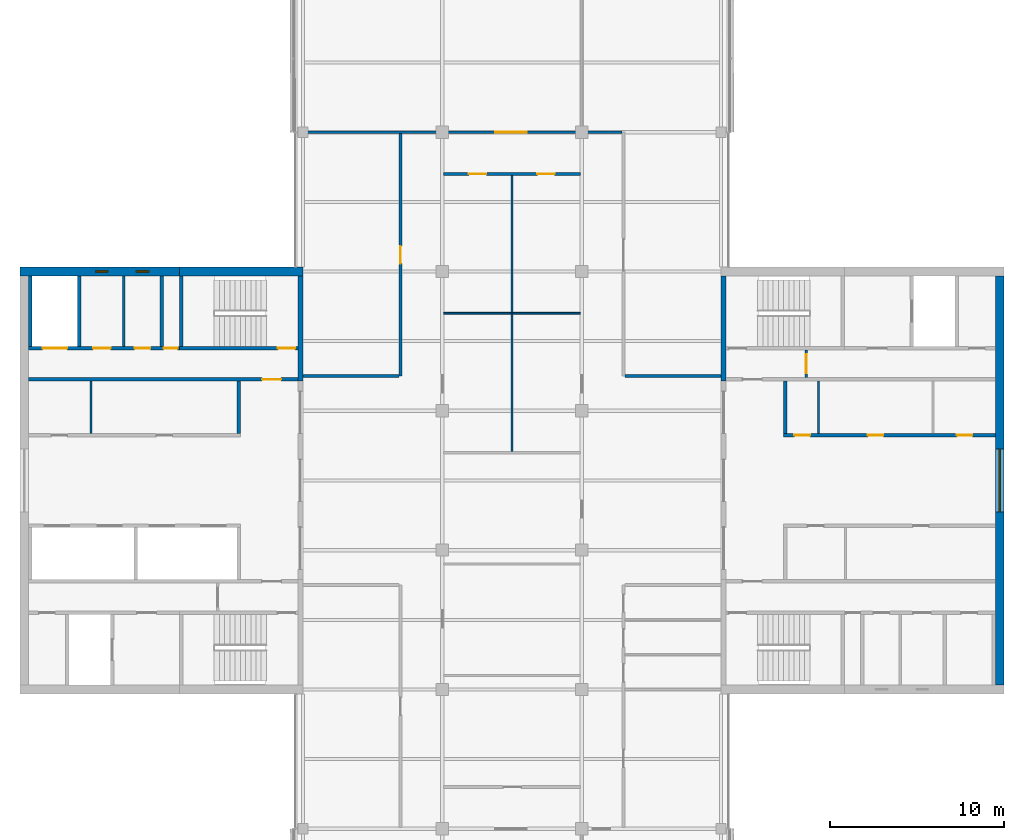
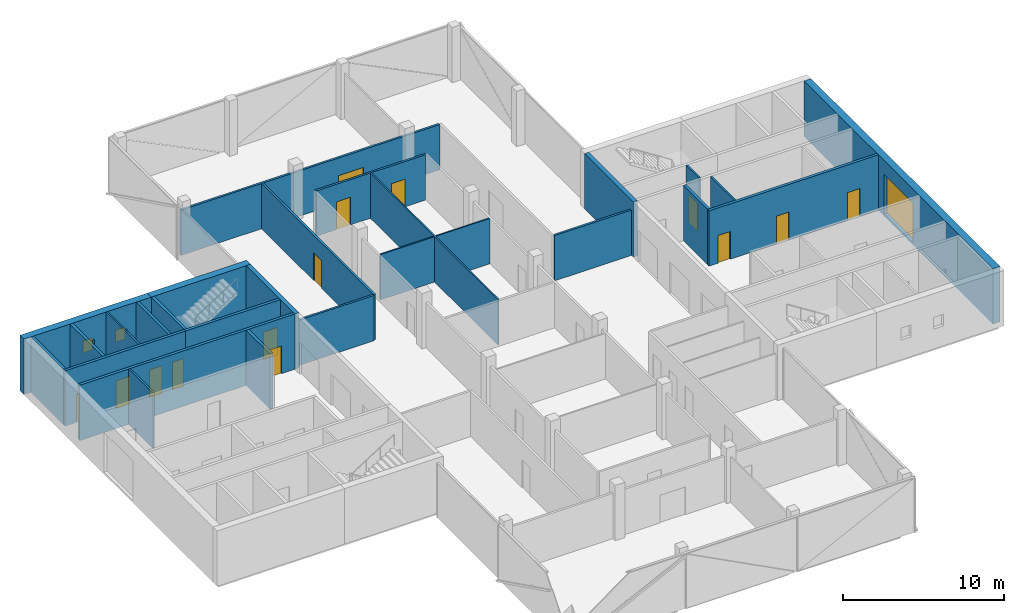
# One storey, part 11 of 15: 27 walls, 14 doors, 3 windows, 17 openings.
"""IFC4 building model written with IfcOpenShell, lengths in metres."""

from ifc_helpers import new_model, si_unit, direction, frame, frame_2d, origin, place, context, subcontext, project, spatial, rectangle, extrude, material, layer, layer_set, constituent, constituent_set, type_object, element, fill, save


model = new_model("IFC4")

# Units and contexts
model_context = context("Model", 3, precision=1e-05, world=origin(), true_north=direction((0.0, 1.0)))
body_context = subcontext(model_context, "Body", "Model", "MODEL_VIEW")
ifc_project = project(units=[si_unit("LENGTHUNIT", "METRE"), si_unit("AREAUNIT", "SQUARE_METRE"), si_unit("VOLUMEUNIT", "CUBIC_METRE"), si_unit("PLANEANGLEUNIT", "RADIAN"), si_unit("MASSUNIT", "GRAM", prefix="KILO")], contexts=[model_context])

# Site, building, storey
site_placement = place(None, origin())
site = spatial("IfcSite", under=ifc_project, at=site_placement, CompositionType="ELEMENT")
building_placement = place(site_placement, origin())
building = spatial("IfcBuilding", under=site, at=building_placement, Name="Crosswind Convention Tower", CompositionType="ELEMENT")
storey_placement = place(building_placement, frame((0.0, 0.0, 266.10009765625)))
storey = spatial("IfcBuildingStorey", under=building, at=storey_placement, Name="L57", CompositionType="ELEMENT", Elevation=266.10009765625)

# Walls
ifc_material_1 = material(Name="Concrete blockwork", Category="masonry")
ifc_layer_1 = layer(ifc_material_1, 0.199951171875)
ifc_layer_set_1 = layer_set([ifc_layer_1], Name="Blockwork partition wall 200")
wall_type_1 = type_object("IfcWallType", Name="Blockwork partition wall 200", PredefinedType="PARTITIONING", material=ifc_layer_set_1)
wall_1_placement = place(storey_placement, frame((104.89990234375, 111.75, 0.0), z_axis=(0.0, 0.0, 1.0), x_axis=(0.0, -1.0, 0.0)))
element("IfcWall", 1, at=wall_1_placement, inside=storey, type_object=wall_type_1, Name="Wall MRSE W L57", PredefinedType="PARTITIONING", context=body_context, shape_type="SweptSolid", body=[
    extrude(rectangle(XDim=4.050048828125, YDim=0.199951171875, at=frame_2d((2.02490234375, 0.0))), origin(), (0.0, 0.0, 1.0), 4.199951171875),
])
ifc_material_2 = material(Name="Concrete C50/60", Category="concrete")
ifc_layer_2 = layer(ifc_material_2, 0.300048828125)
ifc_layer_set_2 = layer_set([ifc_layer_2], Name="Concrete C50/60")
wall_type_2 = type_object("IfcWallType", Name="Concrete inner core wall 300", PredefinedType="SHEAR", material=ifc_layer_set_2)
for number, where, z_axis, x_axis, name in (
    (2, (137.14990234375, 105.699951171875, 0.0), (0.0, 0.0, 1.0), (0.0, 1.0, 0.0), "Wall EP E L57"),
    (3, (112.85009765625, 111.75, 0.0), (0.0, 0.0, 1.0), (0.0, -1.0, 0.0), "Wall EM W L57"),
):
    element("IfcWall", number, at=place(storey_placement, frame(where, z_axis=z_axis, x_axis=x_axis)), inside=storey, type_object=wall_type_2, Name=name, PredefinedType="SHEAR", context=body_context, shape_type="SweptSolid", body=[
        extrude(rectangle(XDim=6.050048828125, YDim=0.300048828125, at=frame_2d((3.02490234375, 0.0))), origin(), (0.0, 0.0, 1.0), 4.199951171875),
    ])
ifc_layer_3 = layer(ifc_material_2, 0.199951171875)
ifc_layer_set_3 = layer_set([ifc_layer_3], Name="Concrete C50/60")
wall_type_3 = type_object("IfcWallType", Name="Concrete shaft and stair wall 200", PredefinedType="SHEAR", material=ifc_layer_set_3)
wall_2_placement = place(storey_placement, frame((140.699951171875, 102.699951171875, 0.0), z_axis=(0.0, 0.0, 1.0), x_axis=(0.0, 1.0, 0.0)))
element("IfcWall", 4, at=wall_2_placement, inside=storey, type_object=wall_type_3, Name="Wall RPEND E L57", PredefinedType="SHEAR", context=body_context, shape_type="SweptSolid", body=[
    extrude(rectangle(XDim=3.0, YDim=0.199951171875, at=frame_2d((1.5, 0.0))), origin(), (0.0, 0.0, 1.0), 4.199951171875),
])

# Wall, openings, doors
wall_3_placement = place(storey_placement, frame((140.60009765625, 102.60009765625, 0.0), z_axis=(0.0, 0.0, 1.0), x_axis=(1.0, 0.0, 0.0)))
wall_3 = element("IfcWall", 5, at=wall_3_placement, inside=storey, type_object=wall_type_3, Name="Wall RPFRONT E L57", PredefinedType="SHEAR", context=body_context, shape_type="SweptSolid", body=[
    extrude(rectangle(XDim=12.14990234375, YDim=0.199951171875, at=frame_2d((6.074951171875, 0.0))), origin(), (0.0, 0.0, 1.0), 4.199951171875),
])
opening_1_placement = place(wall_3_placement, frame((0.614990234375, 0.0, 0.0)))
opening_1 = element("IfcOpeningElement", 6, at=opening_1_placement, cuts=wall_3, Name="Opening D106", PredefinedType="OPENING", context=body_context, shape_type="SweptSolid", body=[
    extrude(rectangle(XDim=0.89990234375, YDim=2.10009765625, at=frame_2d((0.449951171875, 1.050048828125))), frame((0.0, 0.10986328125, 0.0), z_axis=(0.0, -1.0, 0.0), x_axis=(1.0, 0.0, 0.0)), (0.0, 0.0, 1.0), 0.219970703125),
])
opening_2_placement = place(wall_3_placement, frame((4.828857421875, 0.0, 0.0)))
opening_2 = element("IfcOpeningElement", 7, at=opening_2_placement, cuts=wall_3, Name="Opening D106", PredefinedType="OPENING", context=body_context, shape_type="SweptSolid", body=[
    extrude(rectangle(XDim=0.89990234375, YDim=2.10009765625, at=frame_2d((0.449951171875, 1.050048828125))), frame((0.0, 0.10986328125, 0.0), z_axis=(0.0, -1.0, 0.0), x_axis=(1.0, 0.0, 0.0)), (0.0, 0.0, 1.0), 0.219970703125),
])
opening_3_placement = place(wall_3_placement, frame((9.938720703125, 0.0, 0.0)))
opening_3 = element("IfcOpeningElement", 8, at=opening_3_placement, cuts=wall_3, Name="Opening D106", PredefinedType="OPENING", context=body_context, shape_type="SweptSolid", body=[
    extrude(rectangle(XDim=0.89990234375, YDim=2.10009765625, at=frame_2d((0.449951171875, 1.050048828125))), frame((0.0, 0.10986328125, 0.0), z_axis=(0.0, -1.0, 0.0), x_axis=(1.0, 0.0, 0.0)), (0.0, 0.0, 1.0), 0.219970703125),
])
ifc_material_3 = material(Name="Timber door", Category="wood")
door_type_1 = type_object("IfcDoorType", Name="Single leaf door 900x2100", OperationType="NOTDEFINED", PredefinedType="DOOR", material=ifc_material_3)
door_1_placement = place(opening_1_placement, origin())
door_1 = element("IfcDoor", 9, at=door_1_placement, inside=storey, type_object=door_type_1, Name="Door to tenant services room L57", ObjectType="D106", OperationType="SINGLE_SWING_RIGHT", OverallHeight=2.10009765625, OverallWidth=0.89990234375, PredefinedType="DOOR", context=body_context, shape_type="SweptSolid", body=[
    extrude(rectangle(XDim=0.89990234375, YDim=2.10009765625, at=frame_2d((0.449951171875, 1.050048828125))), frame((0.0, 0.02490234375, 0.0), z_axis=(0.0, -1.0, 0.0), x_axis=(1.0, 0.0, 0.0)), (0.0, 0.0, 1.0), 0.050048828125),
])
fill(opening_1, door_1)
door_2_placement = place(opening_2_placement, origin())
door_2 = element("IfcDoor", 10, at=door_2_placement, inside=storey, type_object=door_type_1, Name="Door to copy and print room L57", ObjectType="D106", OperationType="SINGLE_SWING_RIGHT", OverallHeight=2.10009765625, OverallWidth=0.89990234375, PredefinedType="DOOR", context=body_context, shape_type="SweptSolid", body=[
    extrude(rectangle(XDim=0.89990234375, YDim=2.10009765625, at=frame_2d((0.449951171875, 1.050048828125))), frame((0.0, 0.02490234375, 0.0), z_axis=(0.0, -1.0, 0.0), x_axis=(1.0, 0.0, 0.0)), (0.0, 0.0, 1.0), 0.050048828125),
])
fill(opening_2, door_2)
door_3_placement = place(opening_3_placement, origin())
door_3 = element("IfcDoor", 11, at=door_3_placement, inside=storey, type_object=door_type_1, Name="Door to meeting room L57", ObjectType="D106", OperationType="SINGLE_SWING_RIGHT", OverallHeight=2.10009765625, OverallWidth=0.89990234375, PredefinedType="DOOR", context=body_context, shape_type="SweptSolid", body=[
    extrude(rectangle(XDim=0.89990234375, YDim=2.10009765625, at=frame_2d((0.449951171875, 1.050048828125))), frame((0.0, 0.02490234375, 0.0), z_axis=(0.0, -1.0, 0.0), x_axis=(1.0, 0.0, 0.0)), (0.0, 0.0, 1.0), 0.050048828125),
])
fill(opening_3, door_3)

# Wall
wall_4_placement = place(storey_placement, frame((109.300048828125, 105.699951171875, 0.0), z_axis=(0.0, 0.0, 1.0), x_axis=(0.0, -1.0, 0.0)))
element("IfcWall", 12, at=wall_4_placement, inside=storey, type_object=wall_type_3, Name="Wall RMEND W L57", PredefinedType="SHEAR", context=body_context, shape_type="SweptSolid", body=[
    extrude(rectangle(XDim=3.0, YDim=0.199951171875, at=frame_2d((1.5, 0.0))), origin(), (0.0, 0.0, 1.0), 4.199951171875),
])

# Wall, opening, door
wall_5_placement = place(storey_placement, frame((112.699951171875, 105.800048828125, 0.0), z_axis=(0.0, 0.0, 1.0), x_axis=(-1.0, 0.0, 0.0)))
wall_5 = element("IfcWall", 13, at=wall_5_placement, inside=storey, type_object=wall_type_3, Name="Wall HM W L57", PredefinedType="SHEAR", context=body_context, shape_type="SweptSolid", body=[
    extrude(rectangle(XDim=15.449951171875, YDim=0.199951171875, at=frame_2d((7.72509765625, 0.0))), origin(), (0.0, 0.0, 1.0), 4.199951171875),
])
opening_4_placement = place(wall_5_placement, frame((0.949951171875, 0.0, 0.0)))
opening_4 = element("IfcOpeningElement", 14, at=opening_4_placement, cuts=wall_5, Name="Opening D104", PredefinedType="OPENING", context=body_context, shape_type="SweptSolid", body=[
    extrude(rectangle(XDim=1.10009765625, YDim=2.10009765625, at=frame_2d((0.550048828125, 1.050048828125))), frame((0.0, 0.10986328125, 0.0), z_axis=(0.0, -1.0, 0.0), x_axis=(1.0, 0.0, 0.0)), (0.0, 0.0, 1.0), 0.219970703125),
])
ifc_material_4 = material(Name="Steel fire door", Category="steel")
door_type_2 = type_object("IfcDoorType", Name="Fire-rated single door 1100x2100", OperationType="NOTDEFINED", PredefinedType="DOOR", material=ifc_material_4)
door_4_placement = place(opening_4_placement, origin())
door_4 = element("IfcDoor", 15, at=door_4_placement, inside=storey, type_object=door_type_2, Name="Corridor door L57", ObjectType="D104", OperationType="SINGLE_SWING_LEFT", OverallHeight=2.10009765625, OverallWidth=1.10009765625, PredefinedType="DOOR", context=body_context, shape_type="SweptSolid", body=[
    extrude(rectangle(XDim=1.10009765625, YDim=2.10009765625, at=frame_2d((0.550048828125, 1.050048828125))), frame((0.0, 0.02490234375, 0.0), z_axis=(0.0, -1.0, 0.0), x_axis=(1.0, 0.0, 0.0)), (0.0, 0.0, 1.0), 0.050048828125),
])
fill(opening_4, door_4)

# Walls
for number, where, z_axis, x_axis, name in (
    (16, (106.0, 111.75, 0.0), (0.0, 0.0, 1.0), (0.0, -1.0, 0.0), "Wall MSE W L57"),
    (17, (100.14990234375, 111.75, 0.0), (0.0, 0.0, 1.0), (0.0, -1.0, 0.0), "Wall MFSW W L57"),
    (18, (97.35009765625, 111.75, 0.0), (0.0, 0.0, 1.0), (0.0, -1.0, 0.0), "Wall MFSE W L57"),
):
    element("IfcWall", number, at=place(storey_placement, frame(where, z_axis=z_axis, x_axis=x_axis)), inside=storey, type_object=wall_type_3, Name=name, PredefinedType="SHEAR", context=body_context, shape_type="SweptSolid", body=[
        extrude(rectangle(XDim=4.050048828125, YDim=0.199951171875, at=frame_2d((2.02490234375, 0.0))), origin(), (0.0, 0.0, 1.0), 4.199951171875),
    ])

# Wall, opening, door
wall_6_placement = place(storey_placement, frame((112.699951171875, 107.60009765625, 0.0), z_axis=(0.0, 0.0, 1.0), x_axis=(-1.0, 0.0, 0.0)))
wall_6 = element("IfcWall", 19, at=wall_6_placement, inside=storey, type_object=wall_type_3, Name="Wall MCW W L57", PredefinedType="SHEAR", context=body_context, shape_type="SweptSolid", body=[
    extrude(rectangle(XDim=6.800048828125, YDim=0.199951171875, at=frame_2d((3.39990234375, 0.0))), origin(), (0.0, 0.0, 1.0), 4.199951171875),
])
opening_5_placement = place(wall_6_placement, frame((0.14990234375, 0.0, 0.0)))
opening_5 = element("IfcOpeningElement", 20, at=opening_5_placement, cuts=wall_6, Name="Opening D103", PredefinedType="OPENING", context=body_context, shape_type="SweptSolid", body=[
    extrude(rectangle(XDim=1.0, YDim=2.10009765625, at=frame_2d((0.5, 1.050048828125))), frame((0.0, 0.10986328125, 0.0), z_axis=(0.0, -1.0, 0.0), x_axis=(1.0, 0.0, 0.0)), (0.0, 0.0, 1.0), 0.219970703125),
])
door_type_3 = type_object("IfcDoorType", Name="Fire-rated single door 1000x2100", OperationType="NOTDEFINED", PredefinedType="DOOR", material=ifc_material_4)
door_5_placement = place(opening_5_placement, frame((1.0, 0.0, 0.0), z_axis=(0.0, 0.0, 1.0), x_axis=(-1.0, 0.0, 0.0)))
door_5 = element("IfcDoor", 21, at=door_5_placement, inside=storey, type_object=door_type_3, Name="Stair ST4 door L57", ObjectType="D103", OperationType="SINGLE_SWING_RIGHT", OverallHeight=2.10009765625, OverallWidth=1.0, PredefinedType="DOOR", context=body_context, shape_type="SweptSolid", body=[
    extrude(rectangle(XDim=1.0, YDim=2.10009765625, at=frame_2d((0.5, 1.050048828125))), frame((0.0, 0.02490234375, 0.0), z_axis=(0.0, -1.0, 0.0), x_axis=(1.0, 0.0, 0.0)), (0.0, 0.0, 1.0), 0.050048828125),
])
fill(opening_5, door_5)

# Wall, openings, doors
wall_7_placement = place(storey_placement, frame((105.89990234375, 107.60009765625, 0.0), z_axis=(0.0, 0.0, 1.0), x_axis=(-1.0, 0.0, 0.0)))
wall_7 = element("IfcWall", 22, at=wall_7_placement, inside=storey, type_object=wall_type_3, Name="Wall MCX W L57", PredefinedType="SHEAR", context=body_context, shape_type="SweptSolid", body=[
    extrude(rectangle(XDim=8.64990234375, YDim=0.199951171875, at=frame_2d((4.324951171875, 0.0))), origin(), (0.0, 0.0, 1.0), 4.199951171875),
])
opening_6_placement = place(wall_7_placement, frame((0.10009765625, 0.0, 0.0)))
opening_6 = element("IfcOpeningElement", 23, at=opening_6_placement, cuts=wall_7, Name="Opening D105", PredefinedType="OPENING", context=body_context, shape_type="SweptSolid", body=[
    extrude(rectangle(XDim=0.800048828125, YDim=2.10009765625, at=frame_2d((0.39990234375, 1.050048828125))), frame((0.0, 0.10986328125, 0.0), z_axis=(0.0, -1.0, 0.0), x_axis=(1.0, 0.0, 0.0)), (0.0, 0.0, 1.0), 0.219970703125),
])
opening_7_placement = place(wall_7_placement, frame((1.665283203125, 0.0, 0.0)))
opening_7 = element("IfcOpeningElement", 24, at=opening_7_placement, cuts=wall_7, Name="Opening D106", PredefinedType="OPENING", context=body_context, shape_type="SweptSolid", body=[
    extrude(rectangle(XDim=0.89990234375, YDim=2.10009765625, at=frame_2d((0.449951171875, 1.050048828125))), frame((0.0, 0.10986328125, 0.0), z_axis=(0.0, -1.0, 0.0), x_axis=(1.0, 0.0, 0.0)), (0.0, 0.0, 1.0), 0.219970703125),
])
opening_8_placement = place(wall_7_placement, frame((3.95263671875, 0.0, 0.0)))
opening_8 = element("IfcOpeningElement", 25, at=opening_8_placement, cuts=wall_7, Name="Opening D103", PredefinedType="OPENING", context=body_context, shape_type="SweptSolid", body=[
    extrude(rectangle(XDim=1.0, YDim=2.10009765625, at=frame_2d((0.5, 1.050048828125))), frame((0.0, 0.10986328125, 0.0), z_axis=(0.0, -1.0, 0.0), x_axis=(1.0, 0.0, 0.0)), (0.0, 0.0, 1.0), 0.219970703125),
])
opening_9_placement = place(wall_7_placement, frame((6.449951171875, 0.0, 0.0)))
opening_9 = element("IfcOpeningElement", 26, at=opening_9_placement, cuts=wall_7, Name="Opening LD2", PredefinedType="OPENING", context=body_context, shape_type="SweptSolid", body=[
    extrude(rectangle(XDim=1.39990234375, YDim=2.10009765625, at=frame_2d((0.699951171875, 1.050048828125))), frame((0.0, 0.10986328125, 0.0), z_axis=(0.0, -1.0, 0.0), x_axis=(1.0, 0.0, 0.0)), (0.0, 0.0, 1.0), 0.219970703125),
])
door_6_placement = place(opening_8_placement, frame((1.0, 0.0, 0.0), z_axis=(0.0, 0.0, 1.0), x_axis=(-1.0, 0.0, 0.0)))
door_6 = element("IfcDoor", 27, at=door_6_placement, inside=storey, type_object=door_type_3, Name="Door to accessible wc L57", ObjectType="D103", OperationType="SINGLE_SWING_LEFT", OverallHeight=2.10009765625, OverallWidth=1.0, PredefinedType="DOOR", context=body_context, shape_type="SweptSolid", body=[
    extrude(rectangle(XDim=1.0, YDim=2.10009765625, at=frame_2d((0.5, 1.050048828125))), frame((0.0, 0.02490234375, 0.0), z_axis=(0.0, -1.0, 0.0), x_axis=(1.0, 0.0, 0.0)), (0.0, 0.0, 1.0), 0.050048828125),
])
fill(opening_8, door_6)
ifc_material_5 = material(Name="Stainless steel", Category="steel")
door_type_4 = type_object("IfcDoorType", Name="Lift landing door 1400x2100", OperationType="DOUBLE_DOOR_SLIDING", PredefinedType="DOOR", material=ifc_material_5)
door_7_placement = place(opening_9_placement, origin())
door_7 = element("IfcDoor", 28, at=door_7_placement, inside=storey, type_object=door_type_4, Name="Landing door SV2 L57", ObjectType="LD2", OperationType="DOUBLE_DOOR_SLIDING", OverallHeight=2.10009765625, OverallWidth=1.39990234375, PredefinedType="DOOR", context=body_context, shape_type="SweptSolid", body=[
    extrude(rectangle(XDim=1.39990234375, YDim=2.10009765625, at=frame_2d((0.699951171875, 1.050048828125))), frame((0.0, 0.02490234375, 0.0), z_axis=(0.0, -1.0, 0.0), x_axis=(1.0, 0.0, 0.0)), (0.0, 0.0, 1.0), 0.050048828125),
])
fill(opening_9, door_7)
door_type_5 = type_object("IfcDoorType", Name="Riser access door 800x2100", OperationType="NOTDEFINED", PredefinedType="DOOR", material=ifc_material_4)
door_8_placement = place(opening_6_placement, frame((0.800048828125, 0.0, 0.0), z_axis=(0.0, 0.0, 1.0), x_axis=(-1.0, 0.0, 0.0)))
door_8 = element("IfcDoor", 29, at=door_8_placement, inside=storey, type_object=door_type_5, Name="Riser door L57", ObjectType="D105", OperationType="SINGLE_SWING_LEFT", OverallHeight=2.10009765625, OverallWidth=0.800048828125, PredefinedType="DOOR", context=body_context, shape_type="SweptSolid", body=[
    extrude(rectangle(XDim=0.800048828125, YDim=2.10009765625, at=frame_2d((0.39990234375, 1.050048828125))), frame((0.0, 0.02490234375, 0.0), z_axis=(0.0, -1.0, 0.0), x_axis=(1.0, 0.0, 0.0)), (0.0, 0.0, 1.0), 0.050048828125),
])
fill(opening_6, door_8)
door_9_placement = place(opening_7_placement, frame((0.89990234375, 0.0, 0.0), z_axis=(0.0, 0.0, 1.0), x_axis=(-1.0, 0.0, 0.0)))
door_9 = element("IfcDoor", 30, at=door_9_placement, inside=storey, type_object=door_type_1, Name="Door to wc L57", ObjectType="D106", OperationType="SINGLE_SWING_LEFT", OverallHeight=2.10009765625, OverallWidth=0.89990234375, PredefinedType="DOOR", context=body_context, shape_type="SweptSolid", body=[
    extrude(rectangle(XDim=0.89990234375, YDim=2.10009765625, at=frame_2d((0.449951171875, 1.050048828125))), frame((0.0, 0.02490234375, 0.0), z_axis=(0.0, -1.0, 0.0), x_axis=(1.0, 0.0, 0.0)), (0.0, 0.0, 1.0), 0.050048828125),
])
fill(opening_7, door_9)

# Wall
ifc_material_6 = material(Name="Gypsum plasterboard partition", Category="gypsum")
ifc_layer_4 = layer(ifc_material_6, 0.125)
ifc_layer_set_4 = layer_set([ifc_layer_4], Name="Drywall partition wall 125")
wall_type_4 = type_object("IfcWallType", Name="Drywall partition wall 125", PredefinedType="PARTITIONING", material=ifc_layer_set_4)
wall_8_placement = place(storey_placement, frame((142.592529296875, 102.699951171875, 0.0), z_axis=(0.0, 0.0, 1.0), x_axis=(0.0, 1.0, 0.0)))
element("IfcWall", 31, at=wall_8_placement, inside=storey, type_object=wall_type_4, Name="Wall RPP1 E L57", PredefinedType="PARTITIONING", context=body_context, shape_type="SweptSolid", body=[
    extrude(rectangle(XDim=3.0, YDim=0.125, at=frame_2d((1.5, 0.0))), origin(), (0.0, 0.0, 1.0), 4.199951171875),
])

# Wall, opening, door
wall_9_placement = place(storey_placement, frame((141.89990234375, 105.89990234375, 0.0), z_axis=(0.0, 0.0, 1.0), x_axis=(0.0, 1.0, 0.0)))
wall_9 = element("IfcWall", 32, at=wall_9_placement, inside=storey, type_object=wall_type_4, Name="Wall PXC1 E L57", PredefinedType="PARTITIONING", context=body_context, shape_type="SweptSolid", body=[
    extrude(rectangle(XDim=1.60009765625, YDim=0.125, at=frame_2d((0.800048828125, 0.0))), origin(), (0.0, 0.0, 1.0), 4.199951171875),
])
opening_10_placement = place(wall_9_placement, frame((0.25, 0.0, 0.0)))
opening_10 = element("IfcOpeningElement", 33, at=opening_10_placement, cuts=wall_9, Name="Opening D104", PredefinedType="OPENING", context=body_context, shape_type="SweptSolid", body=[
    extrude(rectangle(XDim=1.10009765625, YDim=2.10009765625, at=frame_2d((0.550048828125, 1.050048828125))), frame((0.0, 0.072509765625, 0.0), z_axis=(0.0, -1.0, 0.0), x_axis=(1.0, 0.0, 0.0)), (0.0, 0.0, 1.0), 0.14501953125),
])
door_10_placement = place(opening_10_placement, origin())
door_10 = element("IfcDoor", 34, at=door_10_placement, inside=storey, type_object=door_type_2, Name="Corridor smoke door L57", ObjectType="D104", OperationType="SINGLE_SWING_RIGHT", OverallHeight=2.10009765625, OverallWidth=1.10009765625, PredefinedType="DOOR", context=body_context, shape_type="SweptSolid", body=[
    extrude(rectangle(XDim=1.10009765625, YDim=2.10009765625, at=frame_2d((0.550048828125, 1.050048828125))), frame((0.0, 0.02490234375, 0.0), z_axis=(0.0, -1.0, 0.0), x_axis=(1.0, 0.0, 0.0)), (0.0, 0.0, 1.0), 0.050048828125),
])
fill(opening_10, door_10)

# Walls
wall_10_placement = place(storey_placement, frame((100.8349609375, 105.699951171875, 0.0), z_axis=(0.0, 0.0, 1.0), x_axis=(0.0, -1.0, 0.0)))
element("IfcWall", 35, at=wall_10_placement, inside=storey, type_object=wall_type_4, Name="Wall RMP1 W L57", PredefinedType="PARTITIONING", context=body_context, shape_type="SweptSolid", body=[
    extrude(rectangle(XDim=3.0, YDim=0.125, at=frame_2d((1.5, 0.0))), origin(), (0.0, 0.0, 1.0), 4.199951171875),
])
wall_11_placement = place(storey_placement, frame((102.70703125, 111.75, 0.0), z_axis=(0.0, 0.0, 1.0), x_axis=(0.0, -1.0, 0.0)))
element("IfcWall", 36, at=wall_11_placement, inside=storey, type_object=wall_type_4, Name="Wall MWP1 W L57", PredefinedType="PARTITIONING", context=body_context, shape_type="SweptSolid", body=[
    extrude(rectangle(XDim=4.050048828125, YDim=0.125, at=frame_2d((2.02490234375, 0.0))), origin(), (0.0, 0.0, 1.0), 4.199951171875),
])
ifc_material_7 = material(Name="Plasterboard partition", Category="gypsum")
ifc_layer_5 = layer(ifc_material_7, 0.10009765625)
ifc_layer_set_5 = layer_set([ifc_layer_5], Name="PARTITION 100 METAL STUD")
wall_type_5 = type_object("IfcWallType", Name="PARTITION 100 METAL STUD", PredefinedType="PARTITIONING", material=ifc_layer_set_5)
wall_12_placement = place(storey_placement, frame((125.0, 101.675048828125, 0.0), z_axis=(0.0, 0.0, 1.0), x_axis=(0.0, 1.0, 0.0)))
element("IfcWall", 37, at=wall_12_placement, inside=storey, type_object=wall_type_5, Name="Partition wall WT40", PredefinedType="PARTITIONING", context=body_context, shape_type="SweptSolid", body=[
    extrude(rectangle(XDim=15.849853515625, YDim=0.10009765625, at=frame_2d((7.9248046875, 0.0))), origin(), (0.0, 0.0, 1.0), 3.442626953125),
])
for number, where, z_axis, x_axis, name in (
    (38, (121.074951171875, 109.60009765625, 0.0), (0.0, 0.0, 1.0), (1.0, 0.0, 0.0), "Partition wall WT40"),
    (39, (125.050048828125, 109.60009765625, 0.0), (0.0, 0.0, 1.0), (1.0, 0.0, 0.0), "Partition wall WT40"),
):
    element("IfcWall", number, at=place(storey_placement, frame(where, z_axis=z_axis, x_axis=x_axis)), inside=storey, type_object=wall_type_5, Name=name, PredefinedType="PARTITIONING", context=body_context, shape_type="SweptSolid", body=[
        extrude(rectangle(XDim=3.875, YDim=0.10009765625, at=frame_2d((1.9375, 0.0))), origin(), (0.0, 0.0, 1.0), 3.442626953125),
    ])

# Wall, opening, door
ifc_material_8 = material(Name="Fire-board partition with mineral wool", Category="gypsum")
ifc_layer_6 = layer(ifc_material_8, 0.14990234375)
ifc_layer_set_6 = layer_set([ifc_layer_6], Name="TENANCY WALL 150 TWO-HOUR BOARD")
wall_type_6 = type_object("IfcWallType", Name="TENANCY WALL 150 TWO-HOUR BOARD", PredefinedType="PARTITIONING", material=ifc_layer_set_6)
wall_13_placement = place(storey_placement, frame((118.60009765625, 106.0, 0.0), z_axis=(0.0, 0.0, 1.0), x_axis=(0.0, 1.0, 0.0)))
wall_13 = element("IfcWall", 40, at=wall_13_placement, inside=storey, type_object=wall_type_6, Name="Tenancy wall WT41", PredefinedType="PARTITIONING", context=body_context, shape_type="SweptSolid", body=[
    extrude(rectangle(XDim=13.925048828125, YDim=0.14990234375, at=frame_2d((6.96240234375, 0.0))), origin(), (0.0, 0.0, 1.0), 3.442626953125),
])
opening_11_placement = place(wall_13_placement, frame((6.449951171875, 0.0, 0.0)))
opening_11 = element("IfcOpeningElement", 41, at=opening_11_placement, cuts=wall_13, Name="Opening L57-55", PredefinedType="OPENING", context=body_context, shape_type="SweptSolid", body=[
    extrude(rectangle(XDim=1.0, YDim=2.10009765625, at=frame_2d((0.5, 1.050048828125))), frame((0.0, 0.0849609375, 0.0), z_axis=(0.0, -1.0, 0.0), x_axis=(1.0, 0.0, 0.0)), (0.0, 0.0, 1.0), 0.169921875),
])
ifc_material_9 = material(Name="Timber fire door", Category="wood")
door_type_6 = type_object("IfcDoorType", Name="TENANCY ENTRANCE DOOR 1000X2100 FD30S", OperationType="NOTDEFINED", PredefinedType="DOOR", material=ifc_material_9)
door_11_placement = place(opening_11_placement, origin())
door_11 = element("IfcDoor", 42, at=door_11_placement, inside=storey, type_object=door_type_6, Name="Door L57-55", ObjectType="D41", OperationType="SINGLE_SWING_RIGHT", OverallHeight=2.10009765625, OverallWidth=1.0, PredefinedType="DOOR", context=body_context, shape_type="SweptSolid", body=[
    extrude(rectangle(XDim=1.0, YDim=2.10009765625, at=frame_2d((0.5, 1.050048828125))), frame((0.0, 0.02490234375, 0.0), z_axis=(0.0, -1.0, 0.0), x_axis=(1.0, 0.0, 0.0)), (0.0, 0.0, 1.0), 0.050048828125),
])
fill(opening_11, door_11)

# Walls
for number, where, z_axis, x_axis, name in (
    (43, (113.0, 106.0, 0.0), (0.0, 0.0, 1.0), (1.0, 0.0, 0.0), "Tenancy wall WT41"),
    (44, (131.47509765625, 106.0, 0.0), (0.0, 0.0, 1.0), (1.0, 0.0, 0.0), "Tenancy wall WT41"),
):
    element("IfcWall", number, at=place(storey_placement, frame(where, z_axis=z_axis, x_axis=x_axis)), inside=storey, type_object=wall_type_6, Name=name, PredefinedType="PARTITIONING", context=body_context, shape_type="SweptSolid", body=[
        extrude(rectangle(XDim=5.52490234375, YDim=0.14990234375, at=frame_2d((2.762451171875, 0.0))), origin(), (0.0, 0.0, 1.0), 3.442626953125),
    ])

# Wall, openings, doors
wall_14_placement = place(storey_placement, frame((121.074951171875, 117.60009765625, 0.0), z_axis=(0.0, 0.0, 1.0), x_axis=(1.0, 0.0, 0.0)))
wall_14 = element("IfcWall", 45, at=wall_14_placement, inside=storey, type_object=wall_type_6, Name="Tenancy wall WT41", PredefinedType="PARTITIONING", context=body_context, shape_type="SweptSolid", body=[
    extrude(rectangle(XDim=7.85009765625, YDim=0.14990234375, at=frame_2d((3.925048828125, 0.0))), origin(), (0.0, 0.0, 1.0), 3.442626953125),
])
opening_12_placement = place(wall_14_placement, frame((1.449951171875, 0.0, 0.0)))
opening_12 = element("IfcOpeningElement", 46, at=opening_12_placement, cuts=wall_14, Name="Opening L57-65", PredefinedType="OPENING", context=body_context, shape_type="SweptSolid", body=[
    extrude(rectangle(XDim=1.0, YDim=2.10009765625, at=frame_2d((0.5, 1.050048828125))), frame((0.0, 0.0849609375, 0.0), z_axis=(0.0, -1.0, 0.0), x_axis=(1.0, 0.0, 0.0)), (0.0, 0.0, 1.0), 0.169921875),
])
opening_13_placement = place(wall_14_placement, frame((5.375, 0.0, 0.0)))
opening_13 = element("IfcOpeningElement", 47, at=opening_13_placement, cuts=wall_14, Name="Opening L57-66", PredefinedType="OPENING", context=body_context, shape_type="SweptSolid", body=[
    extrude(rectangle(XDim=1.0, YDim=2.10009765625, at=frame_2d((0.5, 1.050048828125))), frame((0.0, 0.0849609375, 0.0), z_axis=(0.0, -1.0, 0.0), x_axis=(1.0, 0.0, 0.0)), (0.0, 0.0, 1.0), 0.169921875),
])
door_12_placement = place(opening_12_placement, frame((1.0, 0.0, 0.0), z_axis=(0.0, 0.0, 1.0), x_axis=(-1.0, 0.0, 0.0)))
door_12 = element("IfcDoor", 48, at=door_12_placement, inside=storey, type_object=door_type_6, Name="Door L57-65", ObjectType="D41", OperationType="SINGLE_SWING_LEFT", OverallHeight=2.10009765625, OverallWidth=1.0, PredefinedType="DOOR", context=body_context, shape_type="SweptSolid", body=[
    extrude(rectangle(XDim=1.0, YDim=2.10009765625, at=frame_2d((0.5, 1.050048828125))), frame((0.0, 0.02490234375, 0.0), z_axis=(0.0, -1.0, 0.0), x_axis=(1.0, 0.0, 0.0)), (0.0, 0.0, 1.0), 0.050048828125),
])
fill(opening_12, door_12)
door_13_placement = place(opening_13_placement, frame((1.0, 0.0, 0.0), z_axis=(0.0, 0.0, 1.0), x_axis=(-1.0, 0.0, 0.0)))
door_13 = element("IfcDoor", 49, at=door_13_placement, inside=storey, type_object=door_type_6, Name="Door L57-66", ObjectType="D41", OperationType="SINGLE_SWING_RIGHT", OverallHeight=2.10009765625, OverallWidth=1.0, PredefinedType="DOOR", context=body_context, shape_type="SweptSolid", body=[
    extrude(rectangle(XDim=1.0, YDim=2.10009765625, at=frame_2d((0.5, 1.050048828125))), frame((0.0, 0.02490234375, 0.0), z_axis=(0.0, -1.0, 0.0), x_axis=(1.0, 0.0, 0.0)), (0.0, 0.0, 1.0), 0.050048828125),
])
fill(opening_13, door_13)

# Wall, opening, door
wall_15_placement = place(storey_placement, frame((112.72998046875, 120.0, 0.0), z_axis=(0.0, 0.0, 1.0), x_axis=(1.0, 0.0, 0.0)))
wall_15 = element("IfcWall", 50, at=wall_15_placement, inside=storey, type_object=wall_type_6, Name="Tenancy wall WT41", PredefinedType="PARTITIONING", context=body_context, shape_type="SweptSolid", body=[
    extrude(rectangle(XDim=18.594970703125, YDim=0.14990234375, at=frame_2d((9.29736328125, 0.0))), origin(), (0.0, 0.0, 1.0), 3.442626953125),
])
opening_14_placement = place(wall_15_placement, frame((11.320068359375, 0.0, 0.0)))
opening_14 = element("IfcOpeningElement", 51, at=opening_14_placement, cuts=wall_15, Name="Opening L57-57", PredefinedType="OPENING", context=body_context, shape_type="SweptSolid", body=[
    extrude(rectangle(XDim=1.800048828125, YDim=2.10009765625, at=frame_2d((0.89990234375, 1.050048828125))), frame((0.0, 0.0849609375, 0.0), z_axis=(0.0, -1.0, 0.0), x_axis=(1.0, 0.0, 0.0)), (0.0, 0.0, 1.0), 0.169921875),
])
door_type_7 = type_object("IfcDoorType", Name="TENANCY ENTRANCE DOUBLE DOOR 1800X2100 FD30S", OperationType="DOUBLE_DOOR_SINGLE_SWING", PredefinedType="DOOR", material=ifc_material_9)
door_14_placement = place(opening_14_placement, origin())
door_14 = element("IfcDoor", 52, at=door_14_placement, inside=storey, type_object=door_type_7, Name="Door L57-57", ObjectType="D42", OperationType="DOUBLE_DOOR_SINGLE_SWING", OverallHeight=2.10009765625, OverallWidth=1.800048828125, PredefinedType="DOOR", context=body_context, shape_type="SweptSolid", body=[
    extrude(rectangle(XDim=1.800048828125, YDim=2.10009765625, at=frame_2d((0.89990234375, 1.050048828125))), frame((0.0, 0.02490234375, 0.0), z_axis=(0.0, -1.0, 0.0), x_axis=(1.0, 0.0, 0.0)), (0.0, 0.0, 1.0), 0.050048828125),
])
fill(opening_14, door_14)

# Wall, opening, window
ifc_material_10 = material(Name="Concrete C60/75", Category="concrete")
ifc_constituent_1 = constituent(ifc_material_10, Name="Structure")
ifc_material_11 = material(Name="Terracotta rainscreen", Category="ceramic")
ifc_constituent_2 = constituent(ifc_material_11, Name="Facing")
ifc_constituent_set = constituent_set(constituents=[ifc_constituent_1, ifc_constituent_2], Name="Concrete C60/75, Terracotta rainscreen")
wall_type_7 = type_object("IfcWallType", Name="Terracotta rainscreen on concrete core wall 500", PredefinedType="SHEAR", material=ifc_constituent_set)
wall_16_placement = place(storey_placement, frame((153.0, 88.25, 0.0), z_axis=(0.0, 0.0, 1.0), x_axis=(0.0, 1.0, 0.0)))
wall_16 = element("IfcWall", 53, at=wall_16_placement, inside=storey, type_object=wall_type_7, Name="Wall O E L57", PredefinedType="SHEAR", context=body_context, shape_type="SweptSolid", body=[
    extrude(rectangle(XDim=23.5, YDim=0.5, at=frame_2d((11.75, 0.0))), origin(), (0.0, 0.0, 1.0), 4.199951171875),
])
opening_15_placement = place(wall_16_placement, frame((9.949951171875, 0.0, 0.14990234375)))
opening_15 = element("IfcOpeningElement", 54, at=opening_15_placement, cuts=wall_16, Name="Opening W1", PredefinedType="OPENING", context=body_context, shape_type="SweptSolid", body=[
    extrude(rectangle(XDim=3.60009765625, YDim=3.0, at=frame_2d((1.800048828125, 1.5))), frame((0.0, 0.260009765625, 0.0), z_axis=(0.0, -1.0, 0.0), x_axis=(1.0, 0.0, 0.0)), (0.0, 0.0, 1.0), 0.52001953125),
])
ifc_material_12 = material(Name="Clear laminated glass in aluminium frame", Category="aluminium")
window_type_1 = type_object("IfcWindowType", Name="Lobby end window 3600x3000", PartitioningType="SINGLE_PANEL", PredefinedType="WINDOW", material=ifc_material_12)
window_1_placement = place(opening_15_placement, origin())
window_1 = element("IfcWindow", 55, at=window_1_placement, inside=storey, type_object=window_type_1, Name="Lobby end window L57", ObjectType="W1", OverallHeight=3.0, OverallWidth=3.60009765625, PartitioningType="SINGLE_PANEL", PredefinedType="WINDOW", context=body_context, shape_type="SweptSolid", body=[
    extrude(rectangle(XDim=3.60009765625, YDim=3.0, at=frame_2d((1.800048828125, 1.5))), frame((0.0, 0.030029296875, 0.0), z_axis=(0.0, -1.0, 0.0), x_axis=(1.0, 0.0, 0.0)), (0.0, 0.0, 1.0), 0.06005859375),
])
fill(opening_15, window_1)

# Wall
wall_17_placement = place(storey_placement, frame((113.0, 112.0, 0.0), z_axis=(0.0, 0.0, 1.0), x_axis=(-1.0, 0.0, 0.0)))
element("IfcWall", 56, at=wall_17_placement, inside=storey, type_object=wall_type_7, Name="Wall S1 W L57", PredefinedType="SHEAR", context=body_context, shape_type="SweptSolid", body=[
    extrude(rectangle(XDim=7.10009765625, YDim=0.5, at=frame_2d((3.550048828125, 0.0))), origin(), (0.0, 0.0, 1.0), 4.199951171875),
])

# Wall, openings, windows
wall_18_placement = place(storey_placement, frame((105.89990234375, 112.0, 0.0), z_axis=(0.0, 0.0, 1.0), x_axis=(-1.0, 0.0, 0.0)))
wall_18 = element("IfcWall", 57, at=wall_18_placement, inside=storey, type_object=wall_type_7, Name="Wall S2 W L57", PredefinedType="SHEAR", context=body_context, shape_type="SweptSolid", body=[
    extrude(rectangle(XDim=9.14990234375, YDim=0.5, at=frame_2d((4.574951171875, 0.0))), origin(), (0.0, 0.0, 1.0), 4.199951171875),
])
opening_16_placement = place(wall_18_placement, frame((1.76513671875, 0.0, 1.5)))
opening_16 = element("IfcOpeningElement", 58, at=opening_16_placement, cuts=wall_18, Name="Opening W2", PredefinedType="OPENING", context=body_context, shape_type="SweptSolid", body=[
    extrude(rectangle(XDim=0.699951171875, YDim=0.89990234375, at=frame_2d((0.35009765625, 0.449951171875))), frame((0.0, 0.260009765625, 0.0), z_axis=(0.0, -1.0, 0.0), x_axis=(1.0, 0.0, 0.0)), (0.0, 0.0, 1.0), 0.52001953125),
])
opening_17_placement = place(wall_18_placement, frame((4.102783203125, 0.0, 1.5)))
opening_17 = element("IfcOpeningElement", 59, at=opening_17_placement, cuts=wall_18, Name="Opening W2", PredefinedType="OPENING", context=body_context, shape_type="SweptSolid", body=[
    extrude(rectangle(XDim=0.699951171875, YDim=0.89990234375, at=frame_2d((0.35009765625, 0.449951171875))), frame((0.0, 0.260009765625, 0.0), z_axis=(0.0, -1.0, 0.0), x_axis=(1.0, 0.0, 0.0)), (0.0, 0.0, 1.0), 0.52001953125),
])
ifc_material_13 = material(Name="Obscure glass in aluminium frame", Category="aluminium")
window_type_2 = type_object("IfcWindowType", Name="WC window 700x900", PartitioningType="SINGLE_PANEL", PredefinedType="WINDOW", material=ifc_material_13)
window_2_placement = place(opening_16_placement, origin())
window_2 = element("IfcWindow", 60, at=window_2_placement, inside=storey, type_object=window_type_2, Name="WC window L57", ObjectType="W2", OverallHeight=0.89990234375, OverallWidth=0.699951171875, PartitioningType="SINGLE_PANEL", PredefinedType="WINDOW", context=body_context, shape_type="SweptSolid", body=[
    extrude(rectangle(XDim=0.699951171875, YDim=0.89990234375, at=frame_2d((0.35009765625, 0.449951171875))), frame((0.0, 0.030029296875, 0.0), z_axis=(0.0, -1.0, 0.0), x_axis=(1.0, 0.0, 0.0)), (0.0, 0.0, 1.0), 0.06005859375),
])
fill(opening_16, window_2)
window_3_placement = place(opening_17_placement, origin())
window_3 = element("IfcWindow", 61, at=window_3_placement, inside=storey, type_object=window_type_2, Name="WC window L57", ObjectType="W2", OverallHeight=0.89990234375, OverallWidth=0.699951171875, PartitioningType="SINGLE_PANEL", PredefinedType="WINDOW", context=body_context, shape_type="SweptSolid", body=[
    extrude(rectangle(XDim=0.699951171875, YDim=0.89990234375, at=frame_2d((0.35009765625, 0.449951171875))), frame((0.0, 0.030029296875, 0.0), z_axis=(0.0, -1.0, 0.0), x_axis=(1.0, 0.0, 0.0)), (0.0, 0.0, 1.0), 0.06005859375),
])
fill(opening_17, window_3)

save(model, "model.ifc")
